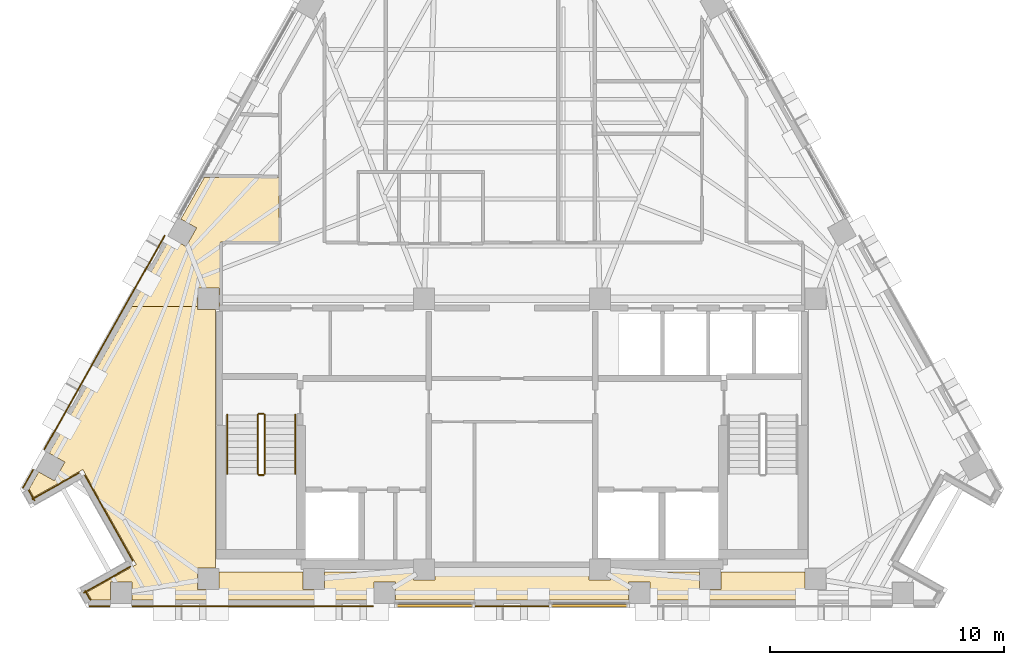
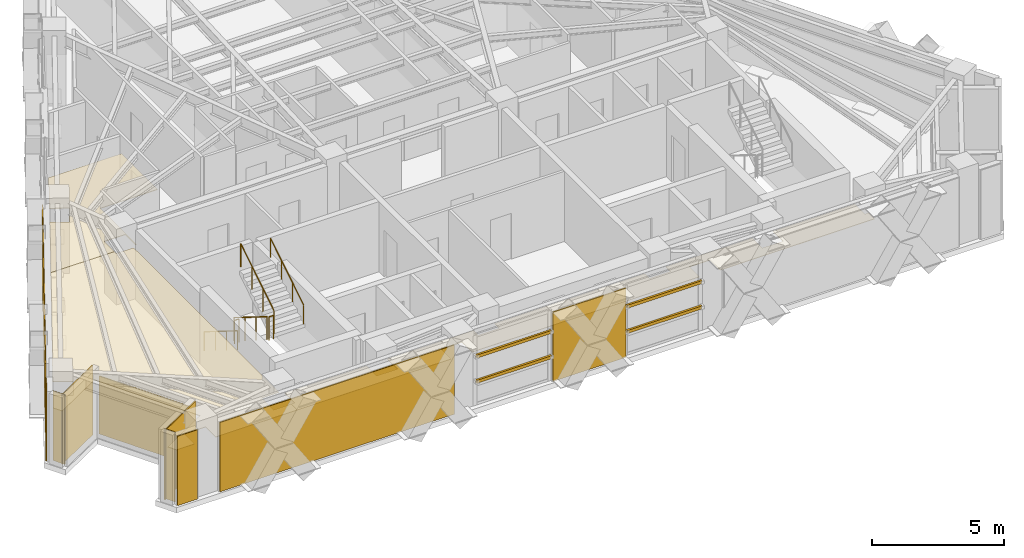
# One storey, part 10 of 12: 13 coverings, 6 railings, 4 shading devices.
"""IFC4 building model written with IfcOpenShell, lengths in metres."""

from ifc_helpers import new_model, si_unit, direction, frame, origin, origin_2d, place, context, subcontext, project, spatial, polyline, rectangle, circle, outline, extrude, material, layer, layer_set, material_profile, profile_set, type_object, element, save


model = new_model("IFC4")

# Units and contexts
model_context = context("Model", 3, precision=1e-05, world=origin(), true_north=direction((0.0, 1.0)))
body_context = subcontext(model_context, "Body", "Model", "MODEL_VIEW")
ifc_project = project(units=[si_unit("LENGTHUNIT", "METRE"), si_unit("AREAUNIT", "SQUARE_METRE"), si_unit("VOLUMEUNIT", "CUBIC_METRE"), si_unit("PLANEANGLEUNIT", "RADIAN"), si_unit("MASSUNIT", "GRAM", prefix="KILO")], contexts=[model_context])

# Site, building, storey
site_placement = place(None, origin())
site = spatial("IfcSite", under=ifc_project, at=site_placement, CompositionType="ELEMENT")
building_placement = place(site_placement, origin())
building = spatial("IfcBuilding", under=site, at=building_placement, Name="Quenlor Broadcast Tower", CompositionType="ELEMENT")
storey_placement = place(building_placement, frame((0.0, 0.0, 193.89990234375)))
storey = spatial("IfcBuildingStorey", under=building, at=storey_placement, Name="L53", CompositionType="ELEMENT", Elevation=193.89990234375)

# Coverings
ifc_material_1 = material(Name="Acoustic Mineral Fibre Board", Category="other")
ifc_layer_1 = layer(ifc_material_1, 0.02490234375)
ifc_layer_set_1 = layer_set([ifc_layer_1], Name="Acoustic Perforated Mineral Tile Ceiling 25")
covering_type_1 = type_object("IfcCoveringType", Name="Acoustic Perforated Mineral Tile Ceiling 25", PredefinedType="CEILING", material=ifc_layer_set_1)
covering_1_placement = place(storey_placement, frame((0.0, 0.0, 2.375)))
element("IfcCovering", 1, at=covering_1_placement, inside=storey, type_object=covering_type_1, Name="L53 Acoustic Ceiling L53-31", PredefinedType="CEILING", context=body_context, shape_type="SweptSolid", body=[
    extrude(outline(polyline([(-14.572021484375, -2.199462890625), (-13.90283203125, -2.575927734375), (-13.45361328125, -1.777587890625), (-14.123046875, -1.401123046875), (-13.129638671875, 0.36474609375), (-9.929931640625, 0.36474609375), (-9.929931640625, -2.3701171875), (-12.43994140625, -2.3701171875), (-12.43994140625, -5.1201171875), (-12.491943359375, -5.1201171875), (-12.491943359375, -4.342041015625), (-13.407958984375, -4.342041015625), (-13.407958984375, -5.1201171875), (-16.21484375, -5.1201171875), (-14.572021484375, -2.199462890625)])), origin(), (0.0, 0.0, 1.0), 0.025146484375),
])
covering_2_placement = place(storey_placement, frame((0.0, 0.0, 2.375)))
element("IfcCovering", 2, at=covering_2_placement, inside=storey, type_object=covering_type_1, Name="L53 Acoustic Ceiling L53-31-3", PredefinedType="CEILING", context=body_context, shape_type="SweptSolid", body=[
    extrude(outline(polyline([(-20.597900390625, -12.912109375), (-20.191162109375, -12.18896484375), (-19.52197265625, -12.5654296875), (-19.07275390625, -11.76708984375), (-19.7421875, -11.390625), (-16.21484375, -5.1201171875), (-13.407958984375, -5.1201171875), (-13.407958984375, -5.258056640625), (-12.64990234375, -5.258056640625), (-12.64990234375, -16.2919921875), (-13.407958984375, -16.2919921875), (-13.407958984375, -17.2080078125), (-12.64990234375, -17.2080078125), (-12.64990234375, -17.659912109375), (-16.218017578125, -17.659912109375), (-16.218017578125, -16.89208984375), (-17.1337890625, -16.89208984375), (-17.1337890625, -17.659912109375), (-17.927001953125, -17.659912109375), (-18.120849609375, -17.315673828125), (-16.029052734375, -16.138916015625), (-18.30859375, -12.08642578125), (-20.400390625, -13.26318359375), (-20.597900390625, -12.912109375)])), origin(), (0.0, 0.0, 1.0), 0.025146484375),
])
covering_3_placement = place(storey_placement, frame((0.0, 0.0, 2.375)))
element("IfcCovering", 3, at=covering_3_placement, inside=storey, type_object=covering_type_1, Name="L53 Acoustic Ceiling L53-31-5", PredefinedType="CEILING", context=body_context, shape_type="SweptSolid", body=[
    extrude(outline(polyline([(-12.491943359375, -17.2080078125), (-12.491943359375, -16.449951171875), (-8.907958984375, -16.449951171875), (-8.907958984375, -17.2080078125), (-7.991943359375, -17.2080078125), (-7.991943359375, -16.449951171875), (-4.2080078125, -16.449951171875), (-4.2080078125, -16.80810546875), (-3.2919921875, -16.80810546875), (-3.2919921875, -16.449951171875), (3.2919921875, -16.449951171875), (3.2919921875, -16.80810546875), (4.2080078125, -16.80810546875), (4.2080078125, -16.449951171875), (7.991943359375, -16.449951171875), (7.991943359375, -17.2080078125), (8.907958984375, -17.2080078125), (8.907958984375, -16.449951171875), (12.491943359375, -16.449951171875), (12.491943359375, -17.2080078125), (12.64990234375, -17.2080078125), (12.64990234375, -17.659912109375), (5.895751953125, -17.659912109375), (5.895751953125, -16.89208984375), (4.979736328125, -16.89208984375), (4.979736328125, -17.659912109375), (-4.979736328125, -17.659912109375), (-4.979736328125, -16.89208984375), (-5.895751953125, -16.89208984375), (-5.895751953125, -17.659912109375), (-12.64990234375, -17.659912109375), (-12.64990234375, -17.2080078125), (-12.491943359375, -17.2080078125)])), origin(), (0.0, 0.0, 1.0), 0.025146484375),
])

# Shading devices
ifc_material_2 = material(Name="Architectural Terracotta Ceramic", Category="masonry")
ifc_material_profile = material_profile(ifc_material_2, rectangle(XDim=0.090087890625, YDim=0.139892578125, at=origin_2d()))
ifc_profile_set = profile_set([ifc_material_profile], Name="Architectural Terracotta Ceramic BAG90x140")
shading_device_type = type_object("IfcShadingDeviceType", Name="Copper Terracotta Baguette Solar Screen 140", PredefinedType="USERDEFINED", material=ifc_profile_set)
for number, where, z_axis, x_axis, name in (
    (4, (4.933837890625, -17.89794921875, 1.170166015625), (-1.0, 0.0, 0.0), (0.0, -1.0, 0.0), "L53 Terracotta Baguette Screen 1"),
    (5, (4.933837890625, -17.89794921875, 2.340087890625), (-1.0, 0.0, 0.0), (0.0, -1.0, 0.0), "L53 Terracotta Baguette Screen 2"),
    (6, (-1.655029296875, -17.89794921875, 1.170166015625), (-1.0, 0.0, 0.0), (0.0, -1.0, 0.0), "L53 Terracotta Baguette Screen 1"),
    (7, (-1.655029296875, -17.89794921875, 2.340087890625), (-1.0, 0.0, 0.0), (0.0, -1.0, 0.0), "L53 Terracotta Baguette Screen 2"),
):
    element("IfcShadingDevice", number, at=place(storey_placement, frame(where, z_axis=z_axis, x_axis=x_axis)), inside=storey, type_object=shading_device_type, Name=name, ObjectType="BAGUETTE", PredefinedType="USERDEFINED", context=body_context, shape_type="SweptSolid", body=[
        extrude(rectangle(XDim=0.090087890625, YDim=0.139892578125, at=origin_2d()), origin(), (0.0, 0.0, 1.0), 3.27880859375),
    ])

# Coverings
ifc_material_3 = material(Name="Architectural Terracotta Ceramic", Category="masonry")
ifc_layer_2 = layer(ifc_material_3, 0.044921875)
ifc_layer_set_2 = layer_set([ifc_layer_2], Name="Fluted Terracotta Rainscreen Cladding Panel")
covering_type_2 = type_object("IfcCoveringType", Name="Fluted Terracotta Rainscreen Cladding Panel", PredefinedType="CLADDING", material=ifc_layer_set_2)
covering_4_placement = place(storey_placement, frame((0.0, 0.0, 0.02001953125)))
element("IfcCovering", 8, at=covering_4_placement, inside=storey, type_object=covering_type_2, Name="L53 Terracotta Rainscreen Cladding L53-SHD-SS1", PredefinedType="CLADDING", context=body_context, shape_type="SweptSolid", body=[
    extrude(outline(polyline([(-17.160888671875, -17.886962890625), (-18.035888671875, -17.886962890625), (-18.035888671875, -17.931884765625), (-17.160888671875, -17.931884765625), (-17.160888671875, -17.886962890625)])), origin(), (0.0, 0.0, 1.0), 3.2099609375),
])
covering_5_placement = place(storey_placement, frame((0.0, 0.0, 0.02001953125)))
element("IfcCovering", 9, at=covering_5_placement, inside=storey, type_object=covering_type_2, Name="L53 Terracotta Rainscreen Cladding L53-EW-SC", PredefinedType="CLADDING", context=body_context, shape_type="SweptSolid", body=[
    extrude(outline(polyline([(-5.9228515625, -17.89697265625), (-16.19091796875, -17.89697265625), (-16.19091796875, -17.94189453125), (-5.9228515625, -17.94189453125), (-5.9228515625, -17.89697265625)])), origin(), (0.0, 0.0, 1.0), 3.2099609375),
])
covering_6_placement = place(storey_placement, frame((0.0, 0.0, 0.02001953125)))
element("IfcCovering", 10, at=covering_6_placement, inside=storey, type_object=covering_type_2, Name="L53 Terracotta Rainscreen Cladding L53-S-SP1", PredefinedType="CLADDING", context=body_context, shape_type="SweptSolid", body=[
    extrude(outline(polyline([(1.591064453125, -17.89697265625), (-1.591064453125, -17.89697265625), (-1.591064453125, -17.94189453125), (1.591064453125, -17.94189453125), (1.591064453125, -17.89697265625)])), origin(), (0.0, 0.0, 1.0), 3.2099609375),
])
covering_7_placement = place(storey_placement, frame((0.0, 0.0, 0.02001953125)))
element("IfcCovering", 11, at=covering_7_placement, inside=storey, type_object=covering_type_2, Name="L53 Terracotta Rainscreen Cladding L53-SHD-NWS0", PredefinedType="CLADDING", context=body_context, shape_type="SweptSolid", body=[
    extrude(outline(polyline([(-20.845458984375, -12.888916015625), (-20.402099609375, -12.10107421875), (-20.44140625, -12.0791015625), (-20.884521484375, -12.866943359375), (-20.845458984375, -12.888916015625)])), origin(), (0.0, 0.0, 1.0), 3.2099609375),
])
covering_8_placement = place(storey_placement, frame((0.0, 0.0, 0.02001953125)))
element("IfcCovering", 12, at=covering_8_placement, inside=storey, type_object=covering_type_2, Name="L53 Terracotta Rainscreen Cladding L53-EW-NWA", PredefinedType="CLADDING", context=body_context, shape_type="SweptSolid", body=[
    extrude(outline(polyline([(-19.935302734375, -11.250732421875), (-14.7919921875, -2.106689453125), (-14.831298828125, -2.084716796875), (-19.974609375, -11.228759765625), (-19.935302734375, -11.250732421875)])), origin(), (0.0, 0.0, 1.0), 3.2099609375),
])
covering_9_placement = place(storey_placement, frame((0.0, 0.0, 0.02001953125)))
element("IfcCovering", 13, at=covering_9_placement, inside=storey, type_object=covering_type_2, Name="L53 Terracotta Rainscreen Cladding L53-CNR-12", PredefinedType="CLADDING", context=body_context, shape_type="SweptSolid", body=[
    extrude(outline(polyline([(-20.64306640625, -12.970458984375), (-20.38623046875, -13.427001953125), (-20.346923828125, -13.405029296875), (-20.60400390625, -12.948486328125), (-20.64306640625, -12.970458984375)])), origin(), (0.0, 0.0, 1.0), 3.2099609375),
])
covering_10_placement = place(storey_placement, frame((0.0, 0.0, 0.02001953125)))
element("IfcCovering", 14, at=covering_10_placement, inside=storey, type_object=covering_type_2, Name="L53 Terracotta Rainscreen Cladding L53-CNR-13", PredefinedType="CLADDING", context=body_context, shape_type="SweptSolid", body=[
    extrude(outline(polyline([(-20.462890625, -13.376220703125), (-18.45849609375, -12.248779296875), (-18.48046875, -12.20947265625), (-20.485107421875, -13.337158203125), (-20.462890625, -13.376220703125)])), origin(), (0.0, 0.0, 1.0), 3.2099609375),
])
covering_11_placement = place(storey_placement, frame((0.0, 0.0, 0.02001953125)))
element("IfcCovering", 15, at=covering_11_placement, inside=storey, type_object=covering_type_2, Name="L53 Terracotta Rainscreen Cladding L53-CNR-14", PredefinedType="CLADDING", context=body_context, shape_type="SweptSolid", body=[
    extrude(outline(polyline([(-18.245361328125, -12.337646484375), (-16.19140625, -15.9892578125), (-16.152099609375, -15.96728515625), (-18.206298828125, -12.315673828125), (-18.245361328125, -12.337646484375)])), origin(), (0.0, 0.0, 1.0), 2.681884765625),
])
covering_12_placement = place(storey_placement, frame((0.0, 0.0, 0.02001953125)))
element("IfcCovering", 16, at=covering_12_placement, inside=storey, type_object=covering_type_2, Name="L53 Terracotta Rainscreen Cladding L53-CNR-15", PredefinedType="CLADDING", context=body_context, shape_type="SweptSolid", body=[
    extrude(outline(polyline([(-16.2802734375, -16.2021484375), (-18.284912109375, -17.329833984375), (-18.262939453125, -17.368896484375), (-16.25830078125, -16.241455078125), (-16.2802734375, -16.2021484375)])), origin(), (0.0, 0.0, 1.0), 3.2099609375),
])
covering_13_placement = place(storey_placement, frame((0.0, 0.0, 0.02001953125)))
element("IfcCovering", 17, at=covering_13_placement, inside=storey, type_object=covering_type_2, Name="L53 Terracotta Rainscreen Cladding L53-CNR-16", PredefinedType="CLADDING", context=body_context, shape_type="SweptSolid", body=[
    extrude(outline(polyline([(-18.234130859375, -17.2529296875), (-17.99853515625, -17.671875), (-17.959228515625, -17.64990234375), (-18.19482421875, -17.23095703125), (-18.234130859375, -17.2529296875)])), origin(), (0.0, 0.0, 1.0), 3.2099609375),
])

# Railings
ifc_material_4 = material(Name="Anodised Aluminium", Category="aluminium")
railing_type_1 = type_object("IfcRailingType", Name="Stainless Aluminium Wall Handrail 900", PredefinedType="HANDRAIL", material=ifc_material_4)
railing_1_placement = place(storey_placement, frame((-12.14990234375, -9.75, 0.175048828125)))
element("IfcRailing", 18, at=railing_1_placement, inside=storey, type_object=railing_type_1, Name="L53 ST-1 stair handrail 1", PredefinedType="HANDRAIL", context=body_context, shape_type="SweptSolid", body=[
    extrude(circle(Radius=0.02392578125, at=origin_2d()), frame((0.0, 0.0, 0.8759765625), z_axis=(0.0, -0.848007534815, 0.529984170421), x_axis=(1.0, 0.0, 0.0)), (0.0, 0.0, 1.0), 2.9716796875),
    extrude(circle(Radius=0.02099609375, at=origin_2d()), origin(), (0.0, 0.0, 1.0), 0.851806640625),
    extrude(circle(Radius=0.02099609375, at=origin_2d()), frame((0.0, -0.840087890625, 0.52490234375)), (0.0, 0.0, 1.0), 0.851806640625),
    extrude(circle(Radius=0.02099609375, at=origin_2d()), frame((0.0, -1.679931640625, 1.050048828125)), (0.0, 0.0, 1.0), 0.851806640625),
    extrude(circle(Radius=0.02099609375, at=origin_2d()), frame((0.0, -2.52001953125, 1.574951171875)), (0.0, 0.0, 1.0), 0.851806640625),
])
railing_2_placement = place(storey_placement, frame((-9.25, -12.27001953125, 1.925048828125)))
element("IfcRailing", 19, at=railing_2_placement, inside=storey, type_object=railing_type_1, Name="L53 ST-1 stair handrail 2", PredefinedType="HANDRAIL", context=body_context, shape_type="SweptSolid", body=[
    extrude(circle(Radius=0.02392578125, at=origin_2d()), frame((0.0, 0.0, 0.8759765625), z_axis=(0.0, 0.848007534815, 0.529984170421), x_axis=(-1.0, 0.0, 0.0)), (0.0, 0.0, 1.0), 2.9716796875),
    extrude(circle(Radius=0.02099609375, at=origin_2d()), origin(), (0.0, 0.0, 1.0), 0.851806640625),
    extrude(circle(Radius=0.02099609375, at=origin_2d()), frame((0.0, 0.840087890625, 0.52490234375)), (0.0, 0.0, 1.0), 0.851806640625),
    extrude(circle(Radius=0.02099609375, at=origin_2d()), frame((0.0, 1.679931640625, 1.050048828125)), (0.0, 0.0, 1.0), 0.851806640625),
    extrude(circle(Radius=0.02099609375, at=origin_2d()), frame((0.0, 2.52001953125, 1.574951171875)), (0.0, 0.0, 1.0), 0.851806640625),
])
ifc_material_5 = material(Name="Steel S355", Category="steel")
railing_type_2 = type_object("IfcRailingType", Name="Tubular Steel S355 Stair Guardrail 1100", PredefinedType="BALUSTRADE", material=ifc_material_5)
railing_3_placement = place(storey_placement, frame((-10.85009765625, -9.75, 0.175048828125)))
element("IfcRailing", 20, at=railing_3_placement, inside=storey, type_object=railing_type_2, Name="L53 ST-1 stair guard 1", PredefinedType="BALUSTRADE", context=body_context, shape_type="SweptSolid", body=[
    extrude(circle(Radius=0.02392578125, at=origin_2d()), frame((0.0, 0.0, 1.076171875), z_axis=(0.0, -0.848007534815, 0.529984170421), x_axis=(1.0, 0.0, 0.0)), (0.0, 0.0, 1.0), 2.9716796875),
    extrude(circle(Radius=0.02099609375, at=origin_2d()), origin(), (0.0, 0.0, 1.0), 1.052001953125),
    extrude(circle(Radius=0.02099609375, at=origin_2d()), frame((0.0, -0.840087890625, 0.52490234375)), (0.0, 0.0, 1.0), 1.052001953125),
    extrude(circle(Radius=0.02099609375, at=origin_2d()), frame((0.0, -1.679931640625, 1.050048828125)), (0.0, 0.0, 1.0), 1.052001953125),
    extrude(circle(Radius=0.02099609375, at=origin_2d()), frame((0.0, -2.52001953125, 1.574951171875)), (0.0, 0.0, 1.0), 1.052001953125),
])
railing_4_placement = place(storey_placement, frame((-10.800048828125, -12.320068359375, 1.75)))
element("IfcRailing", 21, at=railing_4_placement, inside=storey, type_object=railing_type_2, Name="L53 ST-1 stair guard 2", PredefinedType="BALUSTRADE", context=body_context, shape_type="SweptSolid", body=[
    extrude(circle(Radius=0.02392578125, at=origin_2d()), frame((0.0, 0.0, 1.076171875), z_axis=(1.0, 0.0, 0.0), x_axis=(0.0, 1.0, 0.0)), (0.0, 0.0, 1.0), 0.199951171875),
    extrude(circle(Radius=0.02099609375, at=origin_2d()), origin(), (0.0, 0.0, 1.0), 1.052001953125),
    extrude(circle(Radius=0.02099609375, at=origin_2d()), frame((0.199951171875, 0.0, 0.0)), (0.0, 0.0, 1.0), 1.052001953125),
])
railing_5_placement = place(storey_placement, frame((-10.550048828125, -12.27001953125, 1.925048828125)))
element("IfcRailing", 22, at=railing_5_placement, inside=storey, type_object=railing_type_2, Name="L53 ST-1 stair guard 3", PredefinedType="BALUSTRADE", context=body_context, shape_type="SweptSolid", body=[
    extrude(circle(Radius=0.02392578125, at=origin_2d()), frame((0.0, 0.0, 1.076171875), z_axis=(0.0, 0.848007534815, 0.529984170421), x_axis=(-1.0, 0.0, 0.0)), (0.0, 0.0, 1.0), 2.9716796875),
    extrude(circle(Radius=0.02099609375, at=origin_2d()), origin(), (0.0, 0.0, 1.0), 1.052001953125),
    extrude(circle(Radius=0.02099609375, at=origin_2d()), frame((0.0, 0.840087890625, 0.52490234375)), (0.0, 0.0, 1.0), 1.052001953125),
    extrude(circle(Radius=0.02099609375, at=origin_2d()), frame((0.0, 1.679931640625, 1.050048828125)), (0.0, 0.0, 1.0), 1.052001953125),
    extrude(circle(Radius=0.02099609375, at=origin_2d()), frame((0.0, 2.52001953125, 1.574951171875)), (0.0, 0.0, 1.0), 1.052001953125),
])
railing_6_placement = place(storey_placement, frame((-10.800048828125, -9.699951171875, 0.0)))
element("IfcRailing", 23, at=railing_6_placement, inside=storey, type_object=railing_type_2, Name="L53 ST-1 stair guard 4", PredefinedType="BALUSTRADE", context=body_context, shape_type="SweptSolid", body=[
    extrude(circle(Radius=0.02392578125, at=origin_2d()), frame((0.0, 0.0, 1.076171875), z_axis=(1.0, 0.0, 0.0), x_axis=(0.0, 1.0, 0.0)), (0.0, 0.0, 1.0), 0.199951171875),
    extrude(circle(Radius=0.02099609375, at=origin_2d()), origin(), (0.0, 0.0, 1.0), 1.052001953125),
    extrude(circle(Radius=0.02099609375, at=origin_2d()), frame((0.199951171875, 0.0, 0.0)), (0.0, 0.0, 1.0), 1.052001953125),
])

save(model, "model.ifc")
